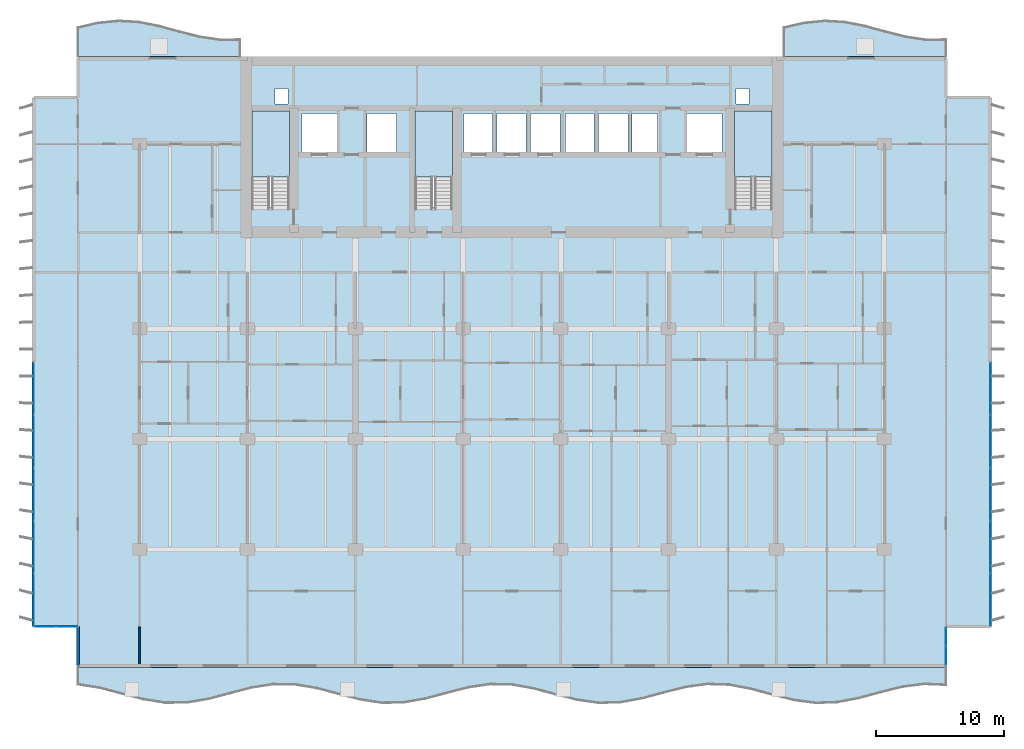
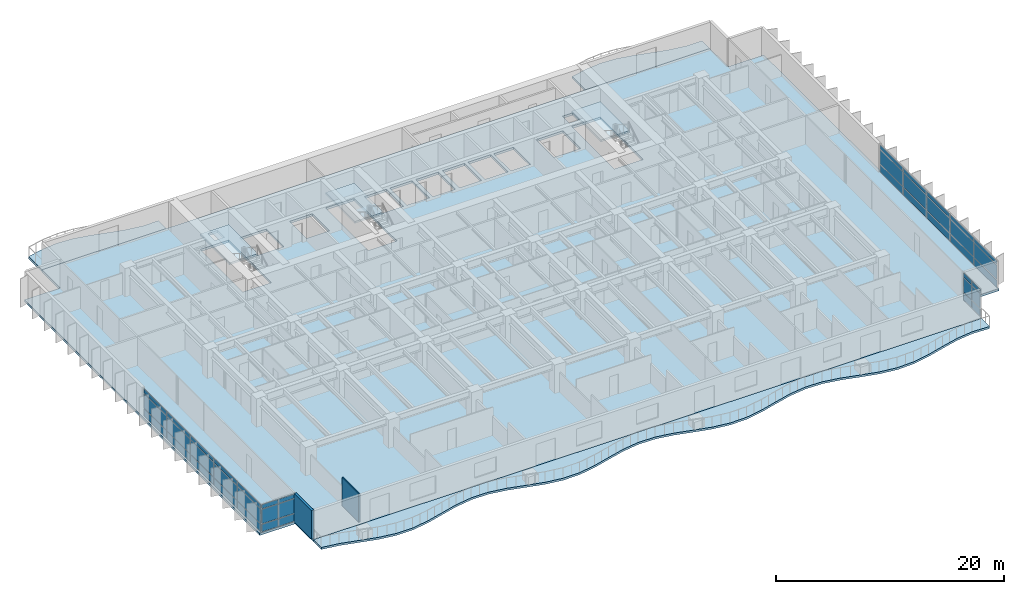
# One storey, part 5 of 18: 42 plates, 7 slabs, 2 walls, 7 elements without a shape of their own.
"""IFC4 building model written with IfcOpenShell, lengths in metres."""

import ifcopenshell
import ifcopenshell.guid

model = None  # the IFC model being written
_history = None  # IfcOwnerHistory: only IFC2X3 demands one
_inside = {}  # id of a spatial element -> (the spatial element, [elements in it])
_under = {}  # id of a project, library or spatial element -> (it, [spatial elements below it])
_declared = {}  # id of a project -> (the project, [libraries it declares])
_typed = {}  # id of a type object -> (the type object, [elements of that type])
_made_of = {}  # id of a material, layer set ... -> (it, [elements and type objects made of it])


def new_model(schema):
    """Start an empty IFC model of exactly this schema.

    Asked for "IFC4X3", IfcOpenShell would pick the latest addendum, in which some entities
    have other attributes; the version numbers below select the first issue.
    IFC2X3 requires an IfcOwnerHistory on every rooted entity: one is made here for all.
    """
    global model, _history
    if schema == "IFC4X3":
        model = ifcopenshell.file(schema_version=(4, 3, 0, 0))
    else:
        model = ifcopenshell.file(schema=schema)
    _inside.clear()
    _under.clear()
    _declared.clear()
    _typed.clear()
    _made_of.clear()
    _history = None
    if model.schema == "IFC2X3":
        org = make("IfcOrganization", Name="unknown")
        user = make(
            "IfcPersonAndOrganization",
            ThePerson=make("IfcPerson", FamilyName="unknown"),
            TheOrganization=org,
        )
        app = make(
            "IfcApplication",
            ApplicationDeveloper=org,
            Version="unknown",
            ApplicationFullName="unknown",
            ApplicationIdentifier="unknown",
        )
        _history = make(
            "IfcOwnerHistory",
            OwningUser=user,
            OwningApplication=app,
            ChangeAction="ADDED",
            CreationDate=0,
        )
    return model


def make(cls, **values):
    """One entity of the class cls with the attributes given. An attribute that is None is left unset."""
    return model.create_entity(
        cls, **{name: value for name, value in values.items() if value is not None}
    )


def rooted(cls, **values):
    """An entity with a GlobalId (a new one), such as an element, a storey or a relation."""
    return make(cls, GlobalId=ifcopenshell.guid.new(), OwnerHistory=_history, **values)


def si_unit(unit_type, name, prefix=None):
    """IfcSIUnit, for example si_unit("LENGTHUNIT", "METRE", prefix="MILLI")."""
    return make("IfcSIUnit", UnitType=unit_type, Prefix=prefix, Name=name)


def assignment(units):
    """IfcUnitAssignment: the units of a project."""
    return None if units is None else make("IfcUnitAssignment", Units=units)


def point(xyz):
    """IfcCartesianPoint."""
    return None if xyz is None else make("IfcCartesianPoint", Coordinates=xyz)


def direction(xyz):
    """IfcDirection."""
    return None if xyz is None else make("IfcDirection", DirectionRatios=xyz)


def frame(location, z_axis=None, x_axis=None):
    """IfcAxis2Placement3D, a coordinate frame: its origin and axes. An axis left out is left unset."""
    return make(
        "IfcAxis2Placement3D",
        Location=point(location),
        Axis=direction(z_axis),
        RefDirection=direction(x_axis),
    )


def frame_2d(location, x_axis=None):
    """IfcAxis2Placement2D, a coordinate frame in the plane: its origin and x axis."""
    return make(
        "IfcAxis2Placement2D", Location=point(location), RefDirection=direction(x_axis)
    )


def origin():
    """The frame at (0, 0, 0) with its axes left unset."""
    return frame((0.0, 0.0, 0.0))


def origin_2d():
    """The frame at (0, 0) in the plane with its x axis left unset."""
    return frame_2d((0.0, 0.0))


def place(relative_to, where):
    """IfcLocalPlacement: puts the frame where relative to a parent placement (None: the world)."""
    return make(
        "IfcLocalPlacement", PlacementRelTo=relative_to, RelativePlacement=where
    )


def context(
    kind, dimensions, precision=None, world=None, true_north=None, identifier=None
):
    """IfcGeometricRepresentationContext, for example the 3D "Model" context."""
    return make(
        "IfcGeometricRepresentationContext",
        ContextIdentifier=identifier,
        ContextType=kind,
        CoordinateSpaceDimension=dimensions,
        Precision=precision,
        WorldCoordinateSystem=world,
        TrueNorth=true_north,
    )


def subcontext(parent, identifier, kind, view, scale=None):
    """IfcGeometricRepresentationSubContext, for example "Body" below "Model"."""
    return make(
        "IfcGeometricRepresentationSubContext",
        ContextIdentifier=identifier,
        ContextType=kind,
        ParentContext=parent,
        TargetScale=scale,
        TargetView=view,
    )


def project(units=None, contexts=None):
    """IfcProject with its units and contexts."""
    return rooted(
        "IfcProject",
        Name="project",
        RepresentationContexts=contexts,
        UnitsInContext=assignment(units),
    )


def spatial(cls, under=None, at=None, **own):
    """A site, building, storey or space (cls), placed at a placement, below another one or the project."""
    s = rooted(cls, ObjectPlacement=at, **own)
    if under is not None:
        _under.setdefault(under.id(), (under, []))[1].append(s)
    return s


def polyline(points):
    """IfcPolyline through the points."""
    return make("IfcPolyline", Points=[point(p) for p in points])


def profile(cls, at=None, kind="AREA", **sizes):
    """A parametric profile (cls). Its sizes go by their IFC names, for example OverallWidth=200.0."""
    return make(cls, ProfileType=kind, Position=at, **sizes)


def rectangle(**sizes):
    """IfcRectangleProfileDef."""
    return profile("IfcRectangleProfileDef", **sizes)


def outline(outer, holes=None, kind="AREA"):
    """IfcArbitraryClosedProfileDef: a profile drawn as a closed curve; with holes, ...WithVoids."""
    if holes is None:
        return make("IfcArbitraryClosedProfileDef", ProfileType=kind, OuterCurve=outer)
    return make(
        "IfcArbitraryProfileDefWithVoids",
        ProfileType=kind,
        OuterCurve=outer,
        InnerCurves=holes,
    )


def extrude(swept, where, along, depth):
    """IfcExtrudedAreaSolid: the profile swept, set in the frame where, extruded along a direction by depth."""
    return make(
        "IfcExtrudedAreaSolid",
        SweptArea=swept,
        Position=where,
        ExtrudedDirection=direction(along),
        Depth=depth,
    )


def shape(context_of_items, identifier, shape_type, items):
    """IfcShapeRepresentation: the items that make up one representation, for example the "Body"."""
    return make(
        "IfcShapeRepresentation",
        ContextOfItems=context_of_items,
        RepresentationIdentifier=identifier,
        RepresentationType=shape_type,
        Items=items,
    )


def material(Name=None, Category=None):
    """IfcMaterial."""
    return make("IfcMaterial", Name=Name, Category=Category)


def layer(
    of_material, thickness, ventilated=None, Name=None, Category=None, Priority=None
):
    """IfcMaterialLayer: one layer of a wall or slab, of a material (None: an air gap)."""
    return make(
        "IfcMaterialLayer",
        Material=of_material,
        LayerThickness=thickness,
        IsVentilated=ventilated,
        Name=Name,
        Category=Category,
        Priority=Priority,
    )


def layer_set(layers, Name=None):
    """IfcMaterialLayerSet."""
    return make("IfcMaterialLayerSet", MaterialLayers=layers, LayerSetName=Name)


def made_of(thing, what):
    """Note that an element or type object is made of a material, layer set ...; save() writes the relation."""
    if what is not None:
        _made_of.setdefault(what.id(), (what, []))[1].append(thing)
    return thing


def type_object(cls, material=None, **own):
    """A type object (cls), such as IfcWallType, which elements share."""
    return made_of(rooted(cls, **own), material)


def element(
    cls,
    number,
    at=None,
    inside=None,
    cuts=None,
    type_object=None,
    material=None,
    context=None,
    identifier="Body",
    shape_type=None,
    held_by="IfcProductDefinitionShape",
    body=None,
    shapes=None,
    **own,
):
    """One element of the class cls, such as IfcWall. Its Tag is "e" and its number.

    at: its placement. inside: the storey or other place that contains it. cuts: it is an
    opening in that element (IfcRelVoidsElement). A single representation is given by context,
    identifier, shape_type and body (its items); several are given by shapes. held_by: the class
    of the entity that holds the representations. save() writes the other relations.
    """
    e = rooted(cls, Tag="e%d" % number, ObjectPlacement=at, **own)
    if body is not None:
        shapes = [shape(context, identifier, shape_type, body)]
    if shapes is not None:
        e.Representation = make(held_by, Representations=shapes)
    if inside is not None:
        _inside.setdefault(inside.id(), (inside, []))[1].append(e)
    if cuts is not None:
        rooted(
            "IfcRelVoidsElement", RelatingBuildingElement=cuts, RelatedOpeningElement=e
        )
    if type_object is not None:
        _typed.setdefault(type_object.id(), (type_object, []))[1].append(e)
    return made_of(e, material)


def aggregate(whole, parts):
    """IfcRelAggregates: a whole, such as a stair, and the parts it consists of."""
    return rooted("IfcRelAggregates", RelatingObject=whole, RelatedObjects=parts)


def save(model, path):
    """Write the relations noted so far, then the file.

    IfcRelAggregates (storeys below a building ...), IfcRelContainedInSpatialStructure (elements
    in a storey), IfcRelDefinesByType, IfcRelAssociatesMaterial and IfcRelDeclares: one each for
    every whole, place, type object, material and project.
    """
    for whole, parts in _under.values():
        aggregate(whole, parts)
    for where, things in _inside.values():
        rooted(
            "IfcRelContainedInSpatialStructure",
            RelatedElements=things,
            RelatingStructure=where,
        )
    for kind, things in _typed.values():
        rooted("IfcRelDefinesByType", RelatedObjects=things, RelatingType=kind)
    for what, things in _made_of.values():
        rooted("IfcRelAssociatesMaterial", RelatedObjects=things, RelatingMaterial=what)
    for by, libraries in _declared.values():
        rooted("IfcRelDeclares", RelatingContext=by, RelatedDefinitions=libraries)
    model.write(path)


model = new_model("IFC4")

# Units and contexts
model_context = context("Model", 3, precision=1e-05, world=origin(), true_north=direction((0.0, 1.0)))
body_context = subcontext(model_context, "Body", "Model", "MODEL_VIEW")
ifc_project = project(units=[si_unit("LENGTHUNIT", "METRE"), si_unit("AREAUNIT", "SQUARE_METRE"), si_unit("VOLUMEUNIT", "CUBIC_METRE"), si_unit("PLANEANGLEUNIT", "RADIAN"), si_unit("MASSUNIT", "GRAM", prefix="KILO")], contexts=[model_context])

# Site, building, storey
site_placement = place(None, origin())
site = spatial("IfcSite", under=ifc_project, at=site_placement, CompositionType="ELEMENT")
building_placement = place(site_placement, origin())
building = spatial("IfcBuilding", under=site, at=building_placement, Name="Caelmar Bay Residences", CompositionType="ELEMENT")
storey_placement = place(building_placement, frame((0.0, 0.0, 56.39990234375)))
storey = spatial("IfcBuildingStorey", under=building, at=storey_placement, Name="L14", CompositionType="ELEMENT", Elevation=56.39990234375)

# Curtain wall, plates
ifc_material_1 = material(Name="Anodised bronze aluminium 6063-T6 and laminated glass", Category="aluminium")
ifc_layer_1 = layer(ifc_material_1, 0.179931640625)
ifc_layer_set_1 = layer_set([ifc_layer_1], Name="Anodised bronze aluminium 6063-T6 and laminated glass")
curtain_wall_type_1 = type_object("IfcCurtainWallType", Name="CW6-NTC", PredefinedType="NOTDEFINED", material=ifc_layer_set_1)
curtain_wall_1_placement = place(storey_placement, origin())
curtain_wall_1 = element("IfcCurtainWall", 1, at=curtain_wall_1_placement, inside=storey, type_object=curtain_wall_type_1, Name="CW6 curtain wall L14", PredefinedType="NOTDEFINED")
ifc_material_2 = material(Name="Bronze-tinted laminated low-E hurricane glass 28 mm", Category="glass")
ifc_layer_2 = layer(ifc_material_2, 0.028076171875)
ifc_layer_set_2 = layer_set([ifc_layer_2], Name="Bronze-tinted laminated low-E hurricane glass 28 mm")
plate_type = type_object("IfcPlateType", Name="CWP-GLZ28", PredefinedType="CURTAIN_PANEL", material=ifc_layer_set_2)
plate_1_placement = place(storey_placement, frame((2.532470703125, 6.199951171875, 0.080078125), z_axis=(0.0, 0.0, 1.0), x_axis=(1.0, 0.0, 0.0)))
plate_1 = element("IfcPlate", 2, at=plate_1_placement, type_object=plate_type, Name="CW6 panel 1.1", PredefinedType="CURTAIN_PANEL", context=body_context, shape_type="SweptSolid", body=[
    extrude(rectangle(XDim=1.60498046875, YDim=0.028076171875, at=origin_2d()), origin(), (0.0, 0.0, 1.0), 0.780029296875),
])
plate_2_placement = place(storey_placement, frame((2.532470703125, 6.199951171875, 0.940185546875), z_axis=(0.0, 0.0, 1.0), x_axis=(1.0, 0.0, 0.0)))
plate_2 = element("IfcPlate", 3, at=plate_2_placement, type_object=plate_type, Name="CW6 panel 1.2", PredefinedType="CURTAIN_PANEL", context=body_context, shape_type="SweptSolid", body=[
    extrude(rectangle(XDim=1.60498046875, YDim=0.028076171875, at=origin_2d()), origin(), (0.0, 0.0, 1.0), 1.52001953125),
])
plate_3_placement = place(storey_placement, frame((2.532470703125, 6.199951171875, 2.5400390625), z_axis=(0.0, 0.0, 1.0), x_axis=(1.0, 0.0, 0.0)))
plate_3 = element("IfcPlate", 4, at=plate_3_placement, type_object=plate_type, Name="CW6 panel 1.3", PredefinedType="CURTAIN_PANEL", context=body_context, shape_type="SweptSolid", body=[
    extrude(rectangle(XDim=1.60498046875, YDim=0.028076171875, at=origin_2d()), origin(), (0.0, 0.0, 1.0), 0.429931640625),
])
plate_4_placement = place(storey_placement, frame((4.217529296875, 6.199951171875, 0.080078125), z_axis=(0.0, 0.0, 1.0), x_axis=(1.0, 0.0, 0.0)))
plate_4 = element("IfcPlate", 5, at=plate_4_placement, type_object=plate_type, Name="CW6 panel 2.1", PredefinedType="CURTAIN_PANEL", context=body_context, shape_type="SweptSolid", body=[
    extrude(rectangle(XDim=1.60498046875, YDim=0.028076171875, at=origin_2d()), origin(), (0.0, 0.0, 1.0), 0.780029296875),
])
plate_5_placement = place(storey_placement, frame((4.217529296875, 6.199951171875, 0.940185546875), z_axis=(0.0, 0.0, 1.0), x_axis=(1.0, 0.0, 0.0)))
plate_5 = element("IfcPlate", 6, at=plate_5_placement, type_object=plate_type, Name="CW6 panel 2.2", PredefinedType="CURTAIN_PANEL", context=body_context, shape_type="SweptSolid", body=[
    extrude(rectangle(XDim=1.60498046875, YDim=0.028076171875, at=origin_2d()), origin(), (0.0, 0.0, 1.0), 1.52001953125),
])
plate_6_placement = place(storey_placement, frame((4.217529296875, 6.199951171875, 2.5400390625), z_axis=(0.0, 0.0, 1.0), x_axis=(1.0, 0.0, 0.0)))
plate_6 = element("IfcPlate", 7, at=plate_6_placement, type_object=plate_type, Name="CW6 panel 2.3", PredefinedType="CURTAIN_PANEL", context=body_context, shape_type="SweptSolid", body=[
    extrude(rectangle(XDim=1.60498046875, YDim=0.028076171875, at=origin_2d()), origin(), (0.0, 0.0, 1.0), 0.429931640625),
])
aggregate(curtain_wall_1, [plate_1, plate_2, plate_3, plate_4, plate_5, plate_6])

curtain_wall_2_placement = place(storey_placement, origin())
curtain_wall_2 = element("IfcCurtainWall", 8, at=curtain_wall_2_placement, inside=storey, type_object=curtain_wall_type_1, Name="CW6 curtain wall L14", PredefinedType="NOTDEFINED")
plate_7_placement = place(storey_placement, frame((72.699951171875, 3.9326171875, 0.080078125), z_axis=(0.0, 0.0, 1.0), x_axis=(0.0, 1.0, 0.0)))
plate_7 = element("IfcPlate", 9, at=plate_7_placement, type_object=plate_type, Name="CW6 panel 1.1", PredefinedType="CURTAIN_PANEL", context=body_context, shape_type="SweptSolid", body=[
    extrude(rectangle(XDim=1.405029296875, YDim=0.028076171875, at=origin_2d()), origin(), (0.0, 0.0, 1.0), 0.780029296875),
])
plate_8_placement = place(storey_placement, frame((72.699951171875, 3.9326171875, 0.940185546875), z_axis=(0.0, 0.0, 1.0), x_axis=(0.0, 1.0, 0.0)))
plate_8 = element("IfcPlate", 10, at=plate_8_placement, type_object=plate_type, Name="CW6 panel 1.2", PredefinedType="CURTAIN_PANEL", context=body_context, shape_type="SweptSolid", body=[
    extrude(rectangle(XDim=1.405029296875, YDim=0.028076171875, at=origin_2d()), origin(), (0.0, 0.0, 1.0), 1.52001953125),
])
plate_9_placement = place(storey_placement, frame((72.699951171875, 3.9326171875, 2.5400390625), z_axis=(0.0, 0.0, 1.0), x_axis=(0.0, 1.0, 0.0)))
plate_9 = element("IfcPlate", 11, at=plate_9_placement, type_object=plate_type, Name="CW6 panel 1.3", PredefinedType="CURTAIN_PANEL", context=body_context, shape_type="SweptSolid", body=[
    extrude(rectangle(XDim=1.405029296875, YDim=0.028076171875, at=origin_2d()), origin(), (0.0, 0.0, 1.0), 0.429931640625),
])
plate_10_placement = place(storey_placement, frame((72.699951171875, 5.41748046875, 0.080078125), z_axis=(0.0, 0.0, 1.0), x_axis=(0.0, 1.0, 0.0)))
plate_10 = element("IfcPlate", 12, at=plate_10_placement, type_object=plate_type, Name="CW6 panel 2.1", PredefinedType="CURTAIN_PANEL", context=body_context, shape_type="SweptSolid", body=[
    extrude(rectangle(XDim=1.405029296875, YDim=0.028076171875, at=origin_2d()), origin(), (0.0, 0.0, 1.0), 0.780029296875),
])
plate_11_placement = place(storey_placement, frame((72.699951171875, 5.41748046875, 0.940185546875), z_axis=(0.0, 0.0, 1.0), x_axis=(0.0, 1.0, 0.0)))
plate_11 = element("IfcPlate", 13, at=plate_11_placement, type_object=plate_type, Name="CW6 panel 2.2", PredefinedType="CURTAIN_PANEL", context=body_context, shape_type="SweptSolid", body=[
    extrude(rectangle(XDim=1.405029296875, YDim=0.028076171875, at=origin_2d()), origin(), (0.0, 0.0, 1.0), 1.52001953125),
])
plate_12_placement = place(storey_placement, frame((72.699951171875, 5.41748046875, 2.5400390625), z_axis=(0.0, 0.0, 1.0), x_axis=(0.0, 1.0, 0.0)))
plate_12 = element("IfcPlate", 14, at=plate_12_placement, type_object=plate_type, Name="CW6 panel 2.3", PredefinedType="CURTAIN_PANEL", context=body_context, shape_type="SweptSolid", body=[
    extrude(rectangle(XDim=1.405029296875, YDim=0.028076171875, at=origin_2d()), origin(), (0.0, 0.0, 1.0), 0.429931640625),
])
aggregate(curtain_wall_2, [plate_7, plate_8, plate_9, plate_10, plate_11, plate_12])

ifc_layer_3 = layer(ifc_material_1, 0.179931640625)
ifc_layer_set_3 = layer_set([ifc_layer_3], Name="Anodised bronze aluminium 6063-T6 and laminated glass")
curtain_wall_type_2 = type_object("IfcCurtainWallType", Name="CW2-Z1", PredefinedType="NOTDEFINED", material=ifc_layer_set_3)
curtain_wall_3_placement = place(storey_placement, origin())
curtain_wall_3 = element("IfcCurtainWall", 15, at=curtain_wall_3_placement, inside=storey, type_object=curtain_wall_type_2, Name="CW2 curtain wall L14", PredefinedType="NOTDEFINED")
plate_13_placement = place(storey_placement, frame((1.64990234375, 8.280029296875, 0.080078125), z_axis=(0.0, 0.0, 1.0), x_axis=(0.0, 1.0, 0.0)))
plate_13 = element("IfcPlate", 16, at=plate_13_placement, type_object=plate_type, Name="CW2 panel 1.1", PredefinedType="CURTAIN_PANEL", context=body_context, shape_type="SweptSolid", body=[
    extrude(rectangle(XDim=4.0, YDim=0.028076171875, at=origin_2d()), origin(), (0.0, 0.0, 1.0), 0.780029296875),
])
plate_14_placement = place(storey_placement, frame((1.64990234375, 8.280029296875, 0.940185546875), z_axis=(0.0, 0.0, 1.0), x_axis=(0.0, 1.0, 0.0)))
plate_14 = element("IfcPlate", 17, at=plate_14_placement, type_object=plate_type, Name="CW2 panel 1.2", PredefinedType="CURTAIN_PANEL", context=body_context, shape_type="SweptSolid", body=[
    extrude(rectangle(XDim=4.0, YDim=0.028076171875, at=origin_2d()), origin(), (0.0, 0.0, 1.0), 1.52001953125),
])
plate_15_placement = place(storey_placement, frame((1.64990234375, 8.280029296875, 2.5400390625), z_axis=(0.0, 0.0, 1.0), x_axis=(0.0, 1.0, 0.0)))
plate_15 = element("IfcPlate", 18, at=plate_15_placement, type_object=plate_type, Name="CW2 panel 1.3", PredefinedType="CURTAIN_PANEL", context=body_context, shape_type="SweptSolid", body=[
    extrude(rectangle(XDim=4.0, YDim=0.028076171875, at=origin_2d()), origin(), (0.0, 0.0, 1.0), 0.429931640625),
])
plate_16_placement = place(storey_placement, frame((1.64990234375, 12.3798828125, 0.080078125), z_axis=(0.0, 0.0, 1.0), x_axis=(0.0, 1.0, 0.0)))
plate_16 = element("IfcPlate", 19, at=plate_16_placement, type_object=plate_type, Name="CW2 panel 2.1", PredefinedType="CURTAIN_PANEL", context=body_context, shape_type="SweptSolid", body=[
    extrude(rectangle(XDim=4.0400390625, YDim=0.028076171875, at=origin_2d()), origin(), (0.0, 0.0, 1.0), 0.780029296875),
])
plate_17_placement = place(storey_placement, frame((1.64990234375, 12.3798828125, 0.940185546875), z_axis=(0.0, 0.0, 1.0), x_axis=(0.0, 1.0, 0.0)))
plate_17 = element("IfcPlate", 20, at=plate_17_placement, type_object=plate_type, Name="CW2 panel 2.2", PredefinedType="CURTAIN_PANEL", context=body_context, shape_type="SweptSolid", body=[
    extrude(rectangle(XDim=4.0400390625, YDim=0.028076171875, at=origin_2d()), origin(), (0.0, 0.0, 1.0), 1.52001953125),
])
plate_18_placement = place(storey_placement, frame((1.64990234375, 12.3798828125, 2.5400390625), z_axis=(0.0, 0.0, 1.0), x_axis=(0.0, 1.0, 0.0)))
plate_18 = element("IfcPlate", 21, at=plate_18_placement, type_object=plate_type, Name="CW2 panel 2.3", PredefinedType="CURTAIN_PANEL", context=body_context, shape_type="SweptSolid", body=[
    extrude(rectangle(XDim=4.0400390625, YDim=0.028076171875, at=origin_2d()), origin(), (0.0, 0.0, 1.0), 0.429931640625),
])
plate_19_placement = place(storey_placement, frame((1.64990234375, 16.5, 0.080078125), z_axis=(0.0, 0.0, 1.0), x_axis=(0.0, 1.0, 0.0)))
plate_19 = element("IfcPlate", 22, at=plate_19_placement, type_object=plate_type, Name="CW2 panel 3.1", PredefinedType="CURTAIN_PANEL", context=body_context, shape_type="SweptSolid", body=[
    extrude(rectangle(XDim=4.0400390625, YDim=0.028076171875, at=origin_2d()), origin(), (0.0, 0.0, 1.0), 0.780029296875),
])
plate_20_placement = place(storey_placement, frame((1.64990234375, 16.5, 0.940185546875), z_axis=(0.0, 0.0, 1.0), x_axis=(0.0, 1.0, 0.0)))
plate_20 = element("IfcPlate", 23, at=plate_20_placement, type_object=plate_type, Name="CW2 panel 3.2", PredefinedType="CURTAIN_PANEL", context=body_context, shape_type="SweptSolid", body=[
    extrude(rectangle(XDim=4.0400390625, YDim=0.028076171875, at=origin_2d()), origin(), (0.0, 0.0, 1.0), 1.52001953125),
])
plate_21_placement = place(storey_placement, frame((1.64990234375, 16.5, 2.5400390625), z_axis=(0.0, 0.0, 1.0), x_axis=(0.0, 1.0, 0.0)))
plate_21 = element("IfcPlate", 24, at=plate_21_placement, type_object=plate_type, Name="CW2 panel 3.3", PredefinedType="CURTAIN_PANEL", context=body_context, shape_type="SweptSolid", body=[
    extrude(rectangle(XDim=4.0400390625, YDim=0.028076171875, at=origin_2d()), origin(), (0.0, 0.0, 1.0), 0.429931640625),
])
plate_22_placement = place(storey_placement, frame((1.64990234375, 20.6201171875, 0.080078125), z_axis=(0.0, 0.0, 1.0), x_axis=(0.0, 1.0, 0.0)))
plate_22 = element("IfcPlate", 25, at=plate_22_placement, type_object=plate_type, Name="CW2 panel 4.1", PredefinedType="CURTAIN_PANEL", context=body_context, shape_type="SweptSolid", body=[
    extrude(rectangle(XDim=4.0400390625, YDim=0.028076171875, at=origin_2d()), origin(), (0.0, 0.0, 1.0), 0.780029296875),
])
plate_23_placement = place(storey_placement, frame((1.64990234375, 20.6201171875, 0.940185546875), z_axis=(0.0, 0.0, 1.0), x_axis=(0.0, 1.0, 0.0)))
plate_23 = element("IfcPlate", 26, at=plate_23_placement, type_object=plate_type, Name="CW2 panel 4.2", PredefinedType="CURTAIN_PANEL", context=body_context, shape_type="SweptSolid", body=[
    extrude(rectangle(XDim=4.0400390625, YDim=0.028076171875, at=origin_2d()), origin(), (0.0, 0.0, 1.0), 1.52001953125),
])
plate_24_placement = place(storey_placement, frame((1.64990234375, 20.6201171875, 2.5400390625), z_axis=(0.0, 0.0, 1.0), x_axis=(0.0, 1.0, 0.0)))
plate_24 = element("IfcPlate", 27, at=plate_24_placement, type_object=plate_type, Name="CW2 panel 4.3", PredefinedType="CURTAIN_PANEL", context=body_context, shape_type="SweptSolid", body=[
    extrude(rectangle(XDim=4.0400390625, YDim=0.028076171875, at=origin_2d()), origin(), (0.0, 0.0, 1.0), 0.429931640625),
])
plate_25_placement = place(storey_placement, frame((1.64990234375, 24.719970703125, 0.080078125), z_axis=(0.0, 0.0, 1.0), x_axis=(0.0, 1.0, 0.0)))
plate_25 = element("IfcPlate", 28, at=plate_25_placement, type_object=plate_type, Name="CW2 panel 5.1", PredefinedType="CURTAIN_PANEL", context=body_context, shape_type="SweptSolid", body=[
    extrude(rectangle(XDim=4.0, YDim=0.028076171875, at=origin_2d()), origin(), (0.0, 0.0, 1.0), 0.780029296875),
])
plate_26_placement = place(storey_placement, frame((1.64990234375, 24.719970703125, 0.940185546875), z_axis=(0.0, 0.0, 1.0), x_axis=(0.0, 1.0, 0.0)))
plate_26 = element("IfcPlate", 29, at=plate_26_placement, type_object=plate_type, Name="CW2 panel 5.2", PredefinedType="CURTAIN_PANEL", context=body_context, shape_type="SweptSolid", body=[
    extrude(rectangle(XDim=4.0, YDim=0.028076171875, at=origin_2d()), origin(), (0.0, 0.0, 1.0), 1.52001953125),
])
plate_27_placement = place(storey_placement, frame((1.64990234375, 24.719970703125, 2.5400390625), z_axis=(0.0, 0.0, 1.0), x_axis=(0.0, 1.0, 0.0)))
plate_27 = element("IfcPlate", 30, at=plate_27_placement, type_object=plate_type, Name="CW2 panel 5.3", PredefinedType="CURTAIN_PANEL", context=body_context, shape_type="SweptSolid", body=[
    extrude(rectangle(XDim=4.0, YDim=0.028076171875, at=origin_2d()), origin(), (0.0, 0.0, 1.0), 0.429931640625),
])
aggregate(curtain_wall_3, [plate_13, plate_14, plate_15, plate_16, plate_17, plate_18, plate_19, plate_20, plate_21, plate_22, plate_23, plate_24, plate_25, plate_26, plate_27])

curtain_wall_4_placement = place(storey_placement, origin())
curtain_wall_4 = element("IfcCurtainWall", 31, at=curtain_wall_4_placement, inside=storey, type_object=curtain_wall_type_2, Name="CW2 curtain wall L14", PredefinedType="NOTDEFINED")
plate_28_placement = place(storey_placement, frame((76.14990234375, 24.719970703125, 0.080078125), z_axis=(0.0, 0.0, 1.0), x_axis=(0.0, -1.0, 0.0)))
plate_28 = element("IfcPlate", 32, at=plate_28_placement, type_object=plate_type, Name="CW2 panel 1.1", PredefinedType="CURTAIN_PANEL", context=body_context, shape_type="SweptSolid", body=[
    extrude(rectangle(XDim=4.0, YDim=0.028076171875, at=origin_2d()), origin(), (0.0, 0.0, 1.0), 0.780029296875),
])
plate_29_placement = place(storey_placement, frame((76.14990234375, 24.719970703125, 0.940185546875), z_axis=(0.0, 0.0, 1.0), x_axis=(0.0, -1.0, 0.0)))
plate_29 = element("IfcPlate", 33, at=plate_29_placement, type_object=plate_type, Name="CW2 panel 1.2", PredefinedType="CURTAIN_PANEL", context=body_context, shape_type="SweptSolid", body=[
    extrude(rectangle(XDim=4.0, YDim=0.028076171875, at=origin_2d()), origin(), (0.0, 0.0, 1.0), 1.52001953125),
])
plate_30_placement = place(storey_placement, frame((76.14990234375, 24.719970703125, 2.5400390625), z_axis=(0.0, 0.0, 1.0), x_axis=(0.0, -1.0, 0.0)))
plate_30 = element("IfcPlate", 34, at=plate_30_placement, type_object=plate_type, Name="CW2 panel 1.3", PredefinedType="CURTAIN_PANEL", context=body_context, shape_type="SweptSolid", body=[
    extrude(rectangle(XDim=4.0, YDim=0.028076171875, at=origin_2d()), origin(), (0.0, 0.0, 1.0), 0.429931640625),
])
plate_31_placement = place(storey_placement, frame((76.14990234375, 20.6201171875, 0.080078125), z_axis=(0.0, 0.0, 1.0), x_axis=(0.0, -1.0, 0.0)))
plate_31 = element("IfcPlate", 35, at=plate_31_placement, type_object=plate_type, Name="CW2 panel 2.1", PredefinedType="CURTAIN_PANEL", context=body_context, shape_type="SweptSolid", body=[
    extrude(rectangle(XDim=4.0400390625, YDim=0.028076171875, at=origin_2d()), origin(), (0.0, 0.0, 1.0), 0.780029296875),
])
plate_32_placement = place(storey_placement, frame((76.14990234375, 20.6201171875, 0.940185546875), z_axis=(0.0, 0.0, 1.0), x_axis=(0.0, -1.0, 0.0)))
plate_32 = element("IfcPlate", 36, at=plate_32_placement, type_object=plate_type, Name="CW2 panel 2.2", PredefinedType="CURTAIN_PANEL", context=body_context, shape_type="SweptSolid", body=[
    extrude(rectangle(XDim=4.0400390625, YDim=0.028076171875, at=origin_2d()), origin(), (0.0, 0.0, 1.0), 1.52001953125),
])
plate_33_placement = place(storey_placement, frame((76.14990234375, 20.6201171875, 2.5400390625), z_axis=(0.0, 0.0, 1.0), x_axis=(0.0, -1.0, 0.0)))
plate_33 = element("IfcPlate", 37, at=plate_33_placement, type_object=plate_type, Name="CW2 panel 2.3", PredefinedType="CURTAIN_PANEL", context=body_context, shape_type="SweptSolid", body=[
    extrude(rectangle(XDim=4.0400390625, YDim=0.028076171875, at=origin_2d()), origin(), (0.0, 0.0, 1.0), 0.429931640625),
])
plate_34_placement = place(storey_placement, frame((76.14990234375, 16.5, 0.080078125), z_axis=(0.0, 0.0, 1.0), x_axis=(0.0, -1.0, 0.0)))
plate_34 = element("IfcPlate", 38, at=plate_34_placement, type_object=plate_type, Name="CW2 panel 3.1", PredefinedType="CURTAIN_PANEL", context=body_context, shape_type="SweptSolid", body=[
    extrude(rectangle(XDim=4.0400390625, YDim=0.028076171875, at=origin_2d()), origin(), (0.0, 0.0, 1.0), 0.780029296875),
])
plate_35_placement = place(storey_placement, frame((76.14990234375, 16.5, 0.940185546875), z_axis=(0.0, 0.0, 1.0), x_axis=(0.0, -1.0, 0.0)))
plate_35 = element("IfcPlate", 39, at=plate_35_placement, type_object=plate_type, Name="CW2 panel 3.2", PredefinedType="CURTAIN_PANEL", context=body_context, shape_type="SweptSolid", body=[
    extrude(rectangle(XDim=4.0400390625, YDim=0.028076171875, at=origin_2d()), origin(), (0.0, 0.0, 1.0), 1.52001953125),
])
plate_36_placement = place(storey_placement, frame((76.14990234375, 16.5, 2.5400390625), z_axis=(0.0, 0.0, 1.0), x_axis=(0.0, -1.0, 0.0)))
plate_36 = element("IfcPlate", 40, at=plate_36_placement, type_object=plate_type, Name="CW2 panel 3.3", PredefinedType="CURTAIN_PANEL", context=body_context, shape_type="SweptSolid", body=[
    extrude(rectangle(XDim=4.0400390625, YDim=0.028076171875, at=origin_2d()), origin(), (0.0, 0.0, 1.0), 0.429931640625),
])
plate_37_placement = place(storey_placement, frame((76.14990234375, 12.3798828125, 0.080078125), z_axis=(0.0, 0.0, 1.0), x_axis=(0.0, -1.0, 0.0)))
plate_37 = element("IfcPlate", 41, at=plate_37_placement, type_object=plate_type, Name="CW2 panel 4.1", PredefinedType="CURTAIN_PANEL", context=body_context, shape_type="SweptSolid", body=[
    extrude(rectangle(XDim=4.0400390625, YDim=0.028076171875, at=origin_2d()), origin(), (0.0, 0.0, 1.0), 0.780029296875),
])
plate_38_placement = place(storey_placement, frame((76.14990234375, 12.3798828125, 0.940185546875), z_axis=(0.0, 0.0, 1.0), x_axis=(0.0, -1.0, 0.0)))
plate_38 = element("IfcPlate", 42, at=plate_38_placement, type_object=plate_type, Name="CW2 panel 4.2", PredefinedType="CURTAIN_PANEL", context=body_context, shape_type="SweptSolid", body=[
    extrude(rectangle(XDim=4.0400390625, YDim=0.028076171875, at=origin_2d()), origin(), (0.0, 0.0, 1.0), 1.52001953125),
])
plate_39_placement = place(storey_placement, frame((76.14990234375, 12.3798828125, 2.5400390625), z_axis=(0.0, 0.0, 1.0), x_axis=(0.0, -1.0, 0.0)))
plate_39 = element("IfcPlate", 43, at=plate_39_placement, type_object=plate_type, Name="CW2 panel 4.3", PredefinedType="CURTAIN_PANEL", context=body_context, shape_type="SweptSolid", body=[
    extrude(rectangle(XDim=4.0400390625, YDim=0.028076171875, at=origin_2d()), origin(), (0.0, 0.0, 1.0), 0.429931640625),
])
plate_40_placement = place(storey_placement, frame((76.14990234375, 8.280029296875, 0.080078125), z_axis=(0.0, 0.0, 1.0), x_axis=(0.0, -1.0, 0.0)))
plate_40 = element("IfcPlate", 44, at=plate_40_placement, type_object=plate_type, Name="CW2 panel 5.1", PredefinedType="CURTAIN_PANEL", context=body_context, shape_type="SweptSolid", body=[
    extrude(rectangle(XDim=4.0, YDim=0.028076171875, at=origin_2d()), origin(), (0.0, 0.0, 1.0), 0.780029296875),
])
plate_41_placement = place(storey_placement, frame((76.14990234375, 8.280029296875, 0.940185546875), z_axis=(0.0, 0.0, 1.0), x_axis=(0.0, -1.0, 0.0)))
plate_41 = element("IfcPlate", 45, at=plate_41_placement, type_object=plate_type, Name="CW2 panel 5.2", PredefinedType="CURTAIN_PANEL", context=body_context, shape_type="SweptSolid", body=[
    extrude(rectangle(XDim=4.0, YDim=0.028076171875, at=origin_2d()), origin(), (0.0, 0.0, 1.0), 1.52001953125),
])
plate_42_placement = place(storey_placement, frame((76.14990234375, 8.280029296875, 2.5400390625), z_axis=(0.0, 0.0, 1.0), x_axis=(0.0, -1.0, 0.0)))
plate_42 = element("IfcPlate", 46, at=plate_42_placement, type_object=plate_type, Name="CW2 panel 5.3", PredefinedType="CURTAIN_PANEL", context=body_context, shape_type="SweptSolid", body=[
    extrude(rectangle(XDim=4.0, YDim=0.028076171875, at=origin_2d()), origin(), (0.0, 0.0, 1.0), 0.429931640625),
])
aggregate(curtain_wall_4, [plate_28, plate_29, plate_30, plate_31, plate_32, plate_33, plate_34, plate_35, plate_36, plate_37, plate_38, plate_39, plate_40, plate_41, plate_42])

# Slabs
ifc_material_3 = material(Name="Concrete f'c 40 MPa (6,000 psi)", Category="concrete")
ifc_layer_4 = layer(ifc_material_3, 0.219970703125)
ifc_layer_set_4 = layer_set([ifc_layer_4], Name="Concrete f'c 40 MPa (6,000 psi)")
slab_type_1 = type_object("IfcSlabType", Name="SLB-BAL-220", PredefinedType="FLOOR", material=ifc_layer_set_4)
slab_1_placement = place(storey_placement, frame((0.0, 0.0, -0.219970703125)))
element("IfcSlab", 47, at=slab_1_placement, inside=storey, type_object=slab_type_1, Name="L14 Sinusoidal Tree-Balcony Slab south", PredefinedType="FLOOR", context=body_context, shape_type="SweptSolid", body=[
    extrude(outline(polyline([(5.10009765625, 1.61328125), (6.7900390625, 1.338623046875), (8.47998046875, 0.894287109375), (10.169921875, 0.452392578125), (11.860107421875, 0.183349609375), (13.550048828125, 0.191162109375), (15.239990234375, 0.472900390625), (16.929931640625, 0.919677734375), (18.6201171875, 1.35888671875), (20.31005859375, 1.62060546875), (22.0, 1.60400390625), (23.68994140625, 1.3154296875), (25.3798828125, 0.866455078125), (27.070068359375, 0.43017578125), (28.760009765625, 0.175537109375), (30.449951171875, 0.20068359375), (32.139892578125, 0.49609375), (33.830078125, 0.94775390625), (35.52001953125, 1.380615234375), (37.2099609375, 1.6279296875), (38.89990234375, 1.593994140625), (40.590087890625, 1.2919921875), (42.280029296875, 0.83837890625), (43.969970703125, 0.40869140625), (45.659912109375, 0.168701171875), (47.35009765625, 0.21142578125), (49.0400390625, 0.520263671875), (50.72998046875, 0.9755859375), (52.419921875, 1.40185546875), (54.110107421875, 1.63427734375), (55.800048828125, 1.5830078125), (57.489990234375, 1.267578125), (59.179931640625, 0.810546875), (60.8701171875, 0.3876953125), (62.56005859375, 0.1630859375), (64.25, 0.22314453125), (65.93994140625, 0.544677734375), (67.6298828125, 1.00341796875), (69.320068359375, 1.42236328125), (71.010009765625, 1.639404296875), (72.699951171875, 1.57080078125), (72.699951171875, 3.0), (5.10009765625, 3.0), (5.10009765625, 1.61328125)])), origin(), (0.0, 0.0, 1.0), 0.219970703125),
])
slab_2_placement = place(storey_placement, frame((0.0, 0.0, -0.219970703125)))
element("IfcSlab", 48, at=slab_2_placement, inside=storey, type_object=slab_type_1, Name="L14 Sinusoidal Tree-Balcony Slab north_west", PredefinedType="FLOOR", context=body_context, shape_type="SweptSolid", body=[
    extrude(outline(polyline([(5.10009765625, 50.60009765625), (17.699951171875, 50.60009765625), (17.699951171875, 51.98681640625), (16.125, 51.978271484375), (14.550048828125, 52.212890625), (12.97509765625, 52.61181640625), (11.39990234375, 53.04052734375), (9.824951171875, 53.3544921875), (8.25, 53.44775390625), (6.675048828125, 53.2890625), (5.10009765625, 52.931884765625), (5.10009765625, 50.60009765625)])), origin(), (0.0, 0.0, 1.0), 0.219970703125),
])
slab_3_placement = place(storey_placement, frame((0.0, 0.0, -0.219970703125)))
element("IfcSlab", 49, at=slab_3_placement, inside=storey, type_object=slab_type_1, Name="L14 Sinusoidal Tree-Balcony Slab north_east", PredefinedType="FLOOR", context=body_context, shape_type="SweptSolid", body=[
    extrude(outline(polyline([(60.10009765625, 50.60009765625), (72.699951171875, 50.60009765625), (72.699951171875, 51.98681640625), (71.125, 51.978271484375), (69.550048828125, 52.212890625), (67.97509765625, 52.61181640625), (66.39990234375, 53.04052734375), (64.824951171875, 53.3544921875), (63.25, 53.44775390625), (61.675048828125, 53.2890625), (60.10009765625, 52.931884765625), (60.10009765625, 50.60009765625)])), origin(), (0.0, 0.0, 1.0), 0.219970703125),
])

# Stair, slab
stair_type = type_object("IfcStairType", Name="ST-TYP-165", PredefinedType="HALF_TURN_STAIR", material=ifc_material_3)
stair_1_placement = place(storey_placement, origin())
stair_1 = element("IfcStair", 50, at=stair_1_placement, inside=storey, type_object=stair_type, Name="L14 West Smokeproof Exit Stair ST1", PredefinedType="HALF_TURN_STAIR")
ifc_layer_5 = layer(ifc_material_3, 0.199951171875)
ifc_layer_set_5 = layer_set([ifc_layer_5], Name="Concrete f'c 40 MPa (6,000 psi)")
slab_type_2 = type_object("IfcSlabType", Name="SLB-LND-200", PredefinedType="LANDING", material=ifc_layer_set_5)
slab_4_placement = place(storey_placement, frame((0.0, 0.0, 1.4501953125)))
slab_4 = element("IfcSlab", 51, at=slab_4_placement, type_object=slab_type_2, Name="ST1 landing 1", PredefinedType="LANDING", context=body_context, shape_type="SweptSolid", body=[
    extrude(outline(polyline([(21.550048828125, 41.219970703125), (21.550048828125, 46.35009765625), (18.64990234375, 46.35009765625), (18.64990234375, 41.219970703125), (21.550048828125, 41.219970703125)])), origin(), (0.0, 0.0, 1.0), 0.199951171875),
])
aggregate(stair_1, [slab_4])

stair_2_placement = place(storey_placement, origin())
stair_2 = element("IfcStair", 52, at=stair_2_placement, inside=storey, type_object=stair_type, Name="L14 East Smokeproof Exit Stair ST2", PredefinedType="HALF_TURN_STAIR")
slab_5_placement = place(storey_placement, frame((0.0, 0.0, 1.4501953125)))
slab_5 = element("IfcSlab", 53, at=slab_5_placement, type_object=slab_type_2, Name="ST2 landing 1", PredefinedType="LANDING", context=body_context, shape_type="SweptSolid", body=[
    extrude(outline(polyline([(59.14990234375, 41.219970703125), (59.14990234375, 46.35009765625), (56.25, 46.35009765625), (56.25, 41.219970703125), (59.14990234375, 41.219970703125)])), origin(), (0.0, 0.0, 1.0), 0.199951171875),
])
aggregate(stair_2, [slab_5])

stair_3_placement = place(storey_placement, origin())
stair_3 = element("IfcStair", 54, at=stair_3_placement, inside=storey, type_object=stair_type, Name="L14 Central Smokeproof Exit Stair ST3", PredefinedType="HALF_TURN_STAIR")
slab_6_placement = place(storey_placement, frame((0.0, 0.0, 1.4501953125)))
slab_6 = element("IfcSlab", 55, at=slab_6_placement, type_object=slab_type_2, Name="ST3 landing 1", PredefinedType="LANDING", context=body_context, shape_type="SweptSolid", body=[
    extrude(outline(polyline([(34.25, 41.219970703125), (34.25, 46.35009765625), (31.35009765625, 46.35009765625), (31.35009765625, 41.219970703125), (34.25, 41.219970703125)])), origin(), (0.0, 0.0, 1.0), 0.199951171875),
])
aggregate(stair_3, [slab_6])

# Slab
ifc_layer_6 = layer(ifc_material_3, 0.25)
ifc_layer_set_6 = layer_set([ifc_layer_6], Name="Concrete f'c 40 MPa (6,000 psi)")
slab_type_3 = type_object("IfcSlabType", Name="SLB-RES-250", PredefinedType="FLOOR", material=ifc_layer_set_6)
slab_7_placement = place(storey_placement, frame((0.0, 0.0, -0.25)))
element("IfcSlab", 56, at=slab_7_placement, inside=storey, type_object=slab_type_3, Name="L14 Structural Floor Slab", PredefinedType="FLOOR", context=body_context, shape_type="SweptSolid", body=[
    extrude(outline(polyline([(5.10009765625, 3.0), (72.699951171875, 3.0), (72.699951171875, 6.199951171875), (76.300048828125, 6.199951171875), (76.300048828125, 47.39990234375), (72.699951171875, 47.39990234375), (72.699951171875, 50.60009765625), (5.10009765625, 50.60009765625), (5.10009765625, 47.39990234375), (1.5, 47.39990234375), (1.5, 6.199951171875), (5.10009765625, 6.199951171875), (5.10009765625, 3.0)]), holes=[polyline([(18.64990234375, 38.85009765625), (21.550048828125, 38.85009765625), (21.550048828125, 46.35009765625), (18.64990234375, 46.35009765625), (18.64990234375, 38.85009765625)]), polyline([(56.25, 38.85009765625), (59.14990234375, 38.85009765625), (59.14990234375, 46.35009765625), (56.25, 46.35009765625), (56.25, 38.85009765625)]), polyline([(31.35009765625, 38.85009765625), (34.25, 38.85009765625), (34.25, 46.35009765625), (31.35009765625, 46.35009765625), (31.35009765625, 38.85009765625)]), polyline([(22.550048828125, 43.050048828125), (25.25, 43.050048828125), (25.25, 46.14990234375), (22.550048828125, 46.14990234375), (22.550048828125, 43.050048828125)]), polyline([(52.550048828125, 43.050048828125), (55.25, 43.050048828125), (55.25, 46.14990234375), (52.550048828125, 46.14990234375), (52.550048828125, 43.050048828125)]), polyline([(35.14990234375, 43.14990234375), (37.39990234375, 43.14990234375), (37.39990234375, 46.14990234375), (35.14990234375, 46.14990234375), (35.14990234375, 43.14990234375)]), polyline([(37.75, 43.14990234375), (40.0, 43.14990234375), (40.0, 46.14990234375), (37.75, 46.14990234375), (37.75, 43.14990234375)]), polyline([(40.35009765625, 43.14990234375), (42.64990234375, 43.14990234375), (42.64990234375, 46.14990234375), (40.35009765625, 46.14990234375), (40.35009765625, 43.14990234375)]), polyline([(43.050048828125, 43.14990234375), (45.300048828125, 43.14990234375), (45.300048828125, 46.14990234375), (43.050048828125, 46.14990234375), (43.050048828125, 43.14990234375)]), polyline([(45.64990234375, 43.14990234375), (47.949951171875, 43.14990234375), (47.949951171875, 46.14990234375), (45.64990234375, 46.14990234375), (45.64990234375, 43.14990234375)]), polyline([(48.25, 43.14990234375), (50.25, 43.14990234375), (50.25, 46.14990234375), (48.25, 46.14990234375), (48.25, 43.14990234375)]), polyline([(27.60009765625, 43.14990234375), (29.89990234375, 43.14990234375), (29.89990234375, 46.14990234375), (27.60009765625, 46.14990234375), (27.60009765625, 43.14990234375)]), polyline([(20.449951171875, 46.89990234375), (21.449951171875, 46.89990234375), (21.449951171875, 48.10009765625), (20.449951171875, 48.10009765625), (20.449951171875, 46.89990234375)]), polyline([(56.35009765625, 46.89990234375), (57.35009765625, 46.89990234375), (57.35009765625, 48.10009765625), (56.35009765625, 48.10009765625), (56.35009765625, 46.89990234375)])]), origin(), (0.0, 0.0, 1.0), 0.25),
])

# Walls
ifc_material_4 = material(Name="Precast concrete f'c 40 MPa (6,000 psi)", Category="concrete")
ifc_layer_7 = layer(ifc_material_4, 0.25)
ifc_layer_set_7 = layer_set([ifc_layer_7], Name="Precast concrete f'c 40 MPa (6,000 psi)")
wall_type_1 = type_object("IfcWallType", Name="W-EXT-250", PredefinedType="ELEMENTEDWALL", material=ifc_layer_set_7)
wall_1_placement = place(storey_placement, frame((5.10009765625, 6.199951171875, 0.0), z_axis=(0.0, 0.0, 1.0), x_axis=(0.0, -1.0, 0.0)))
element("IfcWall", 57, at=wall_1_placement, inside=storey, type_object=wall_type_1, Name="L14 SW Notch Return Wall", PredefinedType="ELEMENTEDWALL", context=body_context, shape_type="SweptSolid", body=[
    extrude(rectangle(XDim=3.050048828125, YDim=0.25, at=frame_2d((1.52490234375, 0.0))), origin(), (0.0, 0.0, 1.0), 3.050048828125),
])
ifc_material_5 = material(Name="Acoustic metal-stud gypsum partition 120 mm")
ifc_layer_8 = layer(ifc_material_5, 0.1201171875)
ifc_layer_set_8 = layer_set([ifc_layer_8], Name="Acoustic metal-stud gypsum partition 120 mm")
wall_type_2 = type_object("IfcWallType", Name="W-PRT-120", PredefinedType="PARTITIONING", material=ifc_layer_set_8)
wall_2_placement = place(storey_placement, frame((9.89990234375, 3.294921875, 0.0), z_axis=(0.0, 0.0, 1.0), x_axis=(0.0, 1.0, 0.0)))
element("IfcWall", 58, at=wall_2_placement, inside=storey, type_object=wall_type_2, Name="L14 Partition Wall V007", PredefinedType="PARTITIONING", context=body_context, shape_type="SweptSolid", body=[
    extrude(rectangle(XDim=2.905029296875, YDim=0.1201171875, at=frame_2d((1.45263671875, 0.0))), origin(), (0.0, 0.0, 1.0), 3.050048828125),
])

save(model, "model.ifc")
